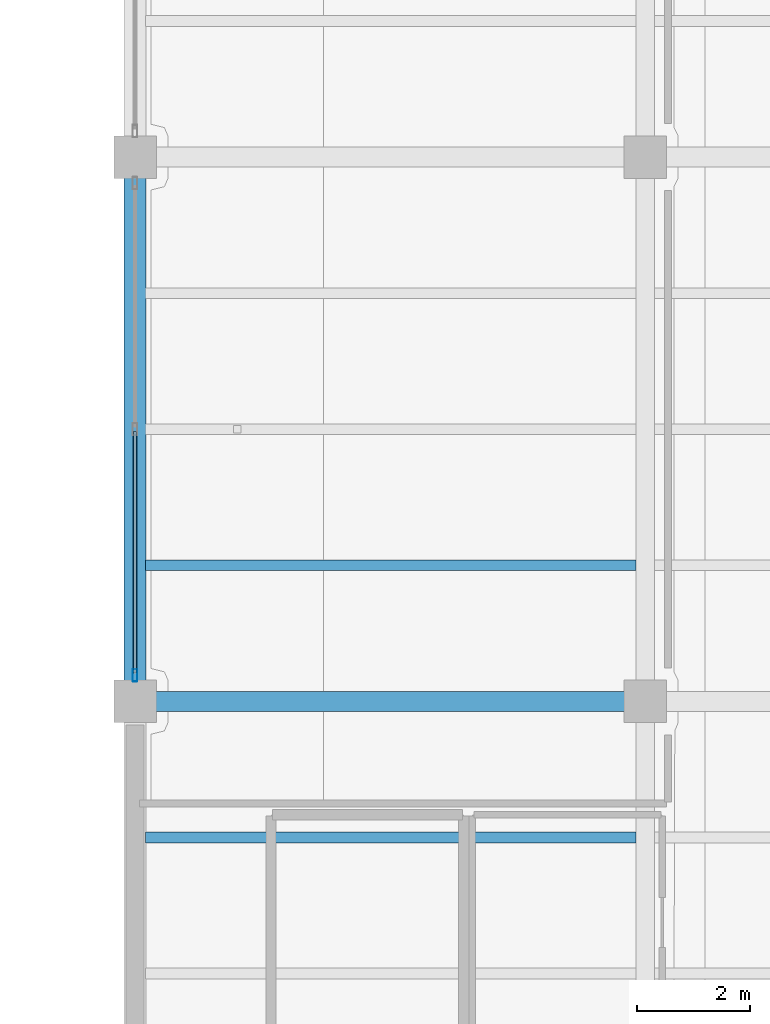
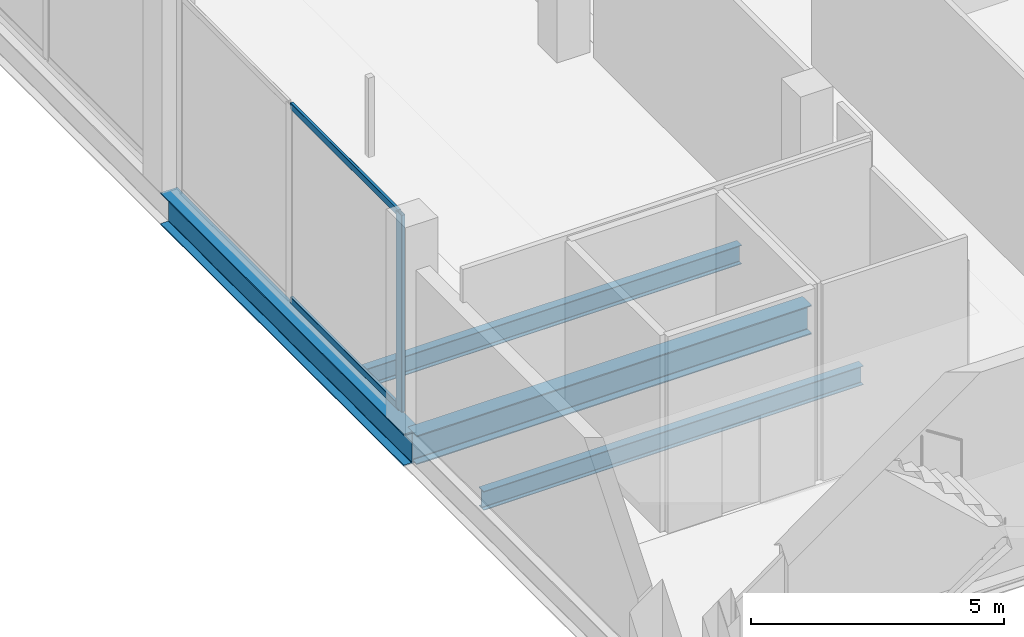
# One storey, part 3 of 47: 4 beams, 3 members, 1 element without a shape of its own.
"""IFC4 building model written with IfcOpenShell, lengths in metres."""

from ifc_helpers import new_model, si_unit, direction, frame, origin, origin_2d, place, context, subcontext, project, spatial, hollow_rectangle, i_section, extrude, material, layer, layer_set, material_profile, profile_set, type_object, element, aggregate, save


model = new_model("IFC4")

# Units and contexts
model_context = context("Model", 3, precision=1e-05, world=origin(), true_north=direction((0.0, 1.0)))
body_context = subcontext(model_context, "Body", "Model", "MODEL_VIEW")
ifc_project = project(units=[si_unit("LENGTHUNIT", "METRE"), si_unit("AREAUNIT", "SQUARE_METRE"), si_unit("VOLUMEUNIT", "CUBIC_METRE"), si_unit("PLANEANGLEUNIT", "RADIAN"), si_unit("MASSUNIT", "GRAM", prefix="KILO")], contexts=[model_context])

# Site, building, storey
site_placement = place(None, origin())
site = spatial("IfcSite", under=ifc_project, at=site_placement, CompositionType="ELEMENT")
building_placement = place(site_placement, origin())
building = spatial("IfcBuilding", under=site, at=building_placement, Name="Qorvath Tower", CompositionType="ELEMENT")
storey_placement = place(building_placement, frame((0.0, 0.0, 12.0)))
storey = spatial("IfcBuildingStorey", under=building, at=storey_placement, Name="L02", CompositionType="ELEMENT", Elevation=12.0)

# Beams
ifc_material_1 = material(Name="Steel ASTM A992 Grade 50", Category="steel")
ifc_material_profile_1 = material_profile(ifc_material_1, i_section(OverallWidth=0.381103515625, OverallDepth=0.77294921875, WebThickness=0.0166015625, FlangeThickness=0.027099609375, FilletRadius=0.01904296875, at=origin_2d()), Name="W30x173")
ifc_profile_set_1 = profile_set([ifc_material_profile_1], Name="Steel ASTM A992 Grade 50")
beam_type_1 = type_object("IfcBeamType", Name="BM-FG3", PredefinedType="BEAM", material=ifc_profile_set_1)
beam_1_placement = place(storey_placement, frame((32.39990234375, -19.199951171875, -0.646484375), z_axis=(0.0, 1.0, 0.0), x_axis=(-1.0, 0.0, 0.0)))
element("IfcBeam", 1, at=beam_1_placement, inside=storey, type_object=beam_type_1, Name="Library N-S Girder L02-1-3", PredefinedType="BEAM", context=body_context, shape_type="SweptSolid", body=[
    extrude(i_section(OverallWidth=0.381103515625, OverallDepth=0.77294921875, WebThickness=0.0166015625, FlangeThickness=0.027099609375, FilletRadius=0.01904296875, at=origin_2d()), origin(), (0.0, 0.0, 1.0), 9.599853515625),
])
ifc_material_2 = material(Name="Steel ASTM A992 Grade 50", Category="steel")
ifc_material_profile_2 = material_profile(ifc_material_2, i_section(OverallWidth=0.35595703125, OverallDepth=0.696044921875, WebThickness=0.015380859375, FlangeThickness=0.02490234375, FilletRadius=0.01806640625, at=origin_2d()), Name="W27x146")
ifc_profile_set_2 = profile_set([ifc_material_profile_2], Name="Steel ASTM A992 Grade 50")
beam_type_2 = type_object("IfcBeamType", Name="BM-FG4", PredefinedType="BEAM", material=ifc_profile_set_2)
beam_2_placement = place(storey_placement, frame((32.39990234375, -19.199951171875, -0.60791015625), z_axis=(1.0, 0.0, 0.0), x_axis=(0.0, 1.0, 0.0)))
element("IfcBeam", 2, at=beam_2_placement, inside=storey, type_object=beam_type_2, Name="Library E-W Girder L02-3-1", PredefinedType="BEAM", context=body_context, shape_type="SweptSolid", body=[
    extrude(i_section(OverallWidth=0.35595703125, OverallDepth=0.696044921875, WebThickness=0.015380859375, FlangeThickness=0.02490234375, FilletRadius=0.01806640625, at=origin_2d()), origin(), (0.0, 0.0, 1.0), 9.0),
])
ifc_material_3 = material(Name="Steel ASTM A992 Grade 50", Category="steel")
ifc_material_profile_3 = material_profile(ifc_material_3, i_section(OverallWidth=0.18994140625, OverallDepth=0.45703125, WebThickness=0.009033203125, FlangeThickness=0.014404296875, FilletRadius=0.011962890625, at=origin_2d()), Name="W18x50")
ifc_profile_set_3 = profile_set([ifc_material_profile_3], Name="Steel ASTM A992 Grade 50")
beam_type_3 = type_object("IfcBeamType", Name="BM-FJ2", PredefinedType="JOIST", material=ifc_profile_set_3)
for number, where, z_axis, x_axis, name in (
    (3, (32.58837890625, -21.60009765625, -0.488525390625), (1.0, 0.0, 0.0), (0.0, 1.0, 0.0), "Library Stack Joist L02-2.3-1"),
    (4, (32.58837890625, -16.800048828125, -0.488525390625), (1.0, 0.0, 0.0), (0.0, 1.0, 0.0), "Library Stack Joist L02-3.1-1"),
):
    element("IfcBeam", number, at=place(storey_placement, frame(where, z_axis=z_axis, x_axis=x_axis)), inside=storey, type_object=beam_type_3, Name=name, PredefinedType="JOIST", context=body_context, shape_type="SweptSolid", body=[
        extrude(i_section(OverallWidth=0.18994140625, OverallDepth=0.45703125, WebThickness=0.009033203125, FlangeThickness=0.014404296875, FilletRadius=0.011962890625, at=origin_2d()), origin(), (0.0, 0.0, 1.0), 8.651123046875),
    ])

# Curtain wall, members
ifc_material_4 = material(Name="Anodised aluminium and triple low-E glass", Category="aluminium")
ifc_layer = layer(ifc_material_4, 0.179931640625)
ifc_layer_set = layer_set([ifc_layer], Name="CW-SYS-6")
curtain_wall_type = type_object("IfcCurtainWallType", Name="CW-SYS-6", PredefinedType="NOTDEFINED", material=ifc_layer_set)
curtain_wall_placement = place(storey_placement, origin())
curtain_wall = element("IfcCurtainWall", 5, at=curtain_wall_placement, inside=storey, type_object=curtain_wall_type, Name="Curtain Wall CW-6 CW-LIB-W-L02-3", PredefinedType="NOTDEFINED")
ifc_material_5 = material(Name="Anodised aluminium 6063-T6", Category="aluminium")
ifc_material_profile_4 = material_profile(ifc_material_5, hollow_rectangle(XDim=0.080078125, YDim=0.219970703125, WallThickness=0.00439453125, InnerFilletRadius=0.00439453125, OuterFilletRadius=0.009033203125, at=origin_2d()), Name="CWM LIB 220x80")
ifc_profile_set_4 = profile_set([ifc_material_profile_4], Name="Anodised aluminium 6063-T6")
member_type_1 = type_object("IfcMemberType", Name="CWM-LIB", PredefinedType="MULLION", material=ifc_profile_set_4)
member_1_placement = place(storey_placement, frame((32.39990234375, -18.739990234375, 0.0), z_axis=(0.0, 0.0, 1.0), x_axis=(-1.0, 0.0, 0.0)))
member_1 = element("IfcMember", 6, at=member_1_placement, type_object=member_type_1, Name="CW-6 mullion 1", PredefinedType="MULLION", context=body_context, shape_type="SweptSolid", body=[
    extrude(hollow_rectangle(XDim=0.080078125, YDim=0.219970703125, WallThickness=0.00439453125, InnerFilletRadius=0.00439453125, OuterFilletRadius=0.009033203125, at=origin_2d()), origin(), (0.0, 0.0, 1.0), 4.739990234375),
])
ifc_material_6 = material(Name="Anodised aluminium 6063-T6", Category="aluminium")
ifc_material_profile_5 = material_profile(ifc_material_6, hollow_rectangle(XDim=0.06494140625, YDim=0.159912109375, WallThickness=0.00341796875, InnerFilletRadius=0.00341796875, OuterFilletRadius=0.007080078125, at=origin_2d()), Name="CWT 160x65")
ifc_profile_set_5 = profile_set([ifc_material_profile_5], Name="Anodised aluminium 6063-T6")
member_type_2 = type_object("IfcMemberType", Name="CWT-160", PredefinedType="USERDEFINED", material=ifc_profile_set_5)
member_2_placement = place(storey_placement, frame((32.39990234375, -18.699951171875, 0.032470703125), z_axis=(0.0, 1.0, 0.0), x_axis=(-1.0, 0.0, 0.0)))
member_2 = element("IfcMember", 7, at=member_2_placement, type_object=member_type_2, Name="CW-6 transom 1.1", ObjectType="TRANSOM", PredefinedType="USERDEFINED", context=body_context, shape_type="SweptSolid", body=[
    extrude(hollow_rectangle(XDim=0.06494140625, YDim=0.159912109375, WallThickness=0.00341796875, InnerFilletRadius=0.00341796875, OuterFilletRadius=0.007080078125, at=origin_2d()), origin(), (0.0, 0.0, 1.0), 4.260009765625),
])
member_3_placement = place(storey_placement, frame((32.39990234375, -18.699951171875, 4.70751953125), z_axis=(0.0, 1.0, 0.0), x_axis=(-1.0, 0.0, 0.0)))
member_3 = element("IfcMember", 8, at=member_3_placement, type_object=member_type_2, Name="CW-6 transom 1.2", ObjectType="TRANSOM", PredefinedType="USERDEFINED", context=body_context, shape_type="SweptSolid", body=[
    extrude(hollow_rectangle(XDim=0.06494140625, YDim=0.159912109375, WallThickness=0.00341796875, InnerFilletRadius=0.00341796875, OuterFilletRadius=0.007080078125, at=origin_2d()), origin(), (0.0, 0.0, 1.0), 4.260009765625),
])
aggregate(curtain_wall, [member_1, member_2, member_3])

save(model, "model.ifc")
